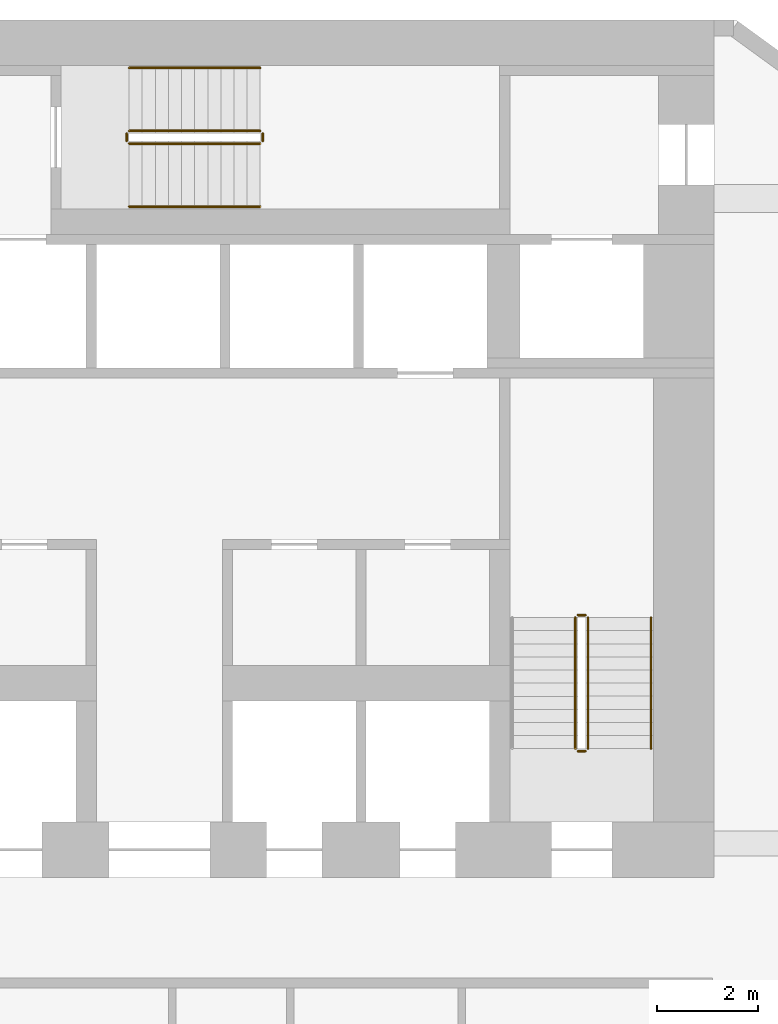
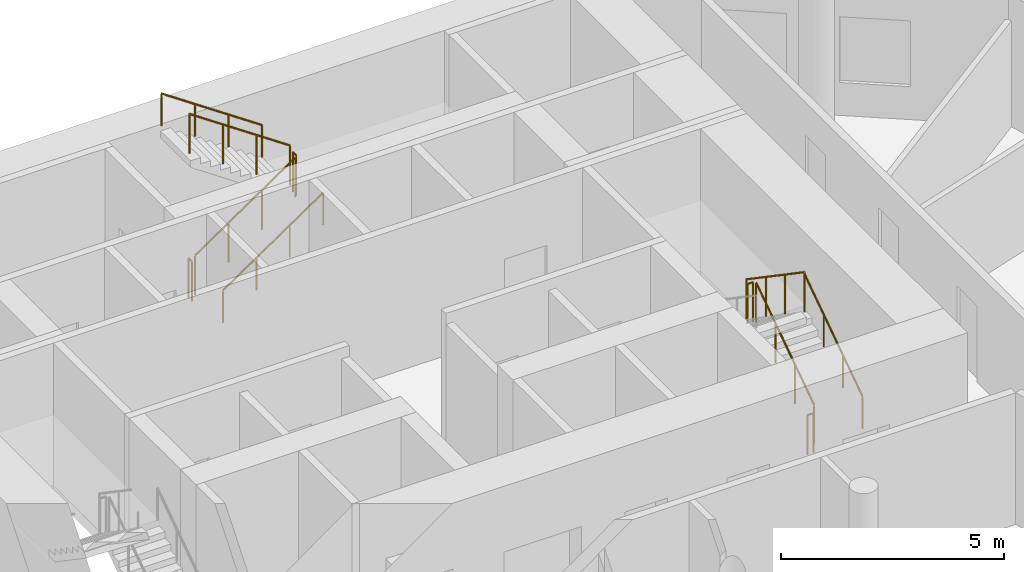
# One storey, part 9 of 9: 11 railings.
"""IFC4 building model written with IfcOpenShell, lengths in metres."""

from ifc_helpers import new_model, si_unit, direction, frame, origin, origin_2d, place, context, subcontext, project, spatial, circle, extrude, material, type_object, element, save


model = new_model("IFC4")

# Units and contexts
model_context = context("Model", 3, precision=1e-05, world=origin(), true_north=direction((0.0, 1.0)))
body_context = subcontext(model_context, "Body", "Model", "MODEL_VIEW")
ifc_project = project(units=[si_unit("LENGTHUNIT", "METRE"), si_unit("AREAUNIT", "SQUARE_METRE"), si_unit("VOLUMEUNIT", "CUBIC_METRE"), si_unit("PLANEANGLEUNIT", "RADIAN"), si_unit("MASSUNIT", "GRAM", prefix="KILO")], contexts=[model_context])

# Site, building, storey
site_placement = place(None, origin())
site = spatial("IfcSite", under=ifc_project, at=site_placement, CompositionType="ELEMENT")
building_placement = place(site_placement, origin())
building = spatial("IfcBuilding", under=site, at=building_placement, Name="White Candle Pilgrim Tower", CompositionType="ELEMENT")
storey_placement = place(building_placement, frame((0.0, 0.0, 122.0)))
storey = spatial("IfcBuildingStorey", under=building, at=storey_placement, Name="L27", CompositionType="ELEMENT", Elevation=122.0)

# Railings
ifc_material = material(Name="Stainless steel", Category="steel")
railing_type_1 = type_object("IfcRailingType", Name="Stair guard stainless steel 1100 mm", PredefinedType="GUARDRAIL", material=ifc_material)
railing_1_placement = place(storey_placement, frame((78.5, 73.550048828125, 0.17724609375)))
element("IfcRailing", 1, at=railing_1_placement, inside=storey, type_object=railing_type_1, Name="L27 ST2 stair guard 1", PredefinedType="GUARDRAIL", context=body_context, shape_type="SweptSolid", body=[
    extrude(circle(Radius=0.02392578125, at=origin_2d()), frame((0.0, 0.0, 1.076171875), z_axis=(0.0, 0.826215852431, 0.563353676824), x_axis=(-1.0, 0.0, 0.0)), (0.0, 0.0, 1.0), 3.146728515625),
    extrude(circle(Radius=0.02099609375, at=origin_2d()), origin(), (0.0, 0.0, 1.0), 1.052001953125),
    extrude(circle(Radius=0.02099609375, at=origin_2d()), frame((0.0, 0.86669921875, 0.5908203125)), (0.0, 0.0, 1.0), 1.052001953125),
    extrude(circle(Radius=0.02099609375, at=origin_2d()), frame((0.0, 1.733154296875, 1.181884765625)), (0.0, 0.0, 1.0), 1.052001953125),
    extrude(circle(Radius=0.02099609375, at=origin_2d()), frame((0.0, 2.599853515625, 1.772705078125)), (0.0, 0.0, 1.0), 1.052001953125),
])
railing_2_placement = place(storey_placement, frame((78.449951171875, 76.199951171875, 1.949951171875)))
element("IfcRailing", 2, at=railing_2_placement, inside=storey, type_object=railing_type_1, Name="L27 ST2 stair guard 2", PredefinedType="GUARDRAIL", context=body_context, shape_type="SweptSolid", body=[
    extrude(circle(Radius=0.02392578125, at=origin_2d()), frame((0.0, 0.0, 1.076171875), z_axis=(-1.0, 0.0, 0.0), x_axis=(0.0, -1.0, 0.0)), (0.0, 0.0, 1.0), 0.14990234375),
    extrude(circle(Radius=0.02099609375, at=origin_2d()), origin(), (0.0, 0.0, 1.0), 1.052001953125),
    extrude(circle(Radius=0.02099609375, at=origin_2d()), frame((-0.14990234375, 0.0, 0.0)), (0.0, 0.0, 1.0), 1.052001953125),
])
railing_3_placement = place(storey_placement, frame((78.25, 76.14990234375, 2.127197265625)))
element("IfcRailing", 3, at=railing_3_placement, inside=storey, type_object=railing_type_1, Name="L27 ST2 stair guard 3", PredefinedType="GUARDRAIL", context=body_context, shape_type="SweptSolid", body=[
    extrude(circle(Radius=0.02392578125, at=origin_2d()), frame((0.0, 0.0, 1.076171875), z_axis=(0.0, -0.826215852431, 0.563353676824), x_axis=(1.0, 0.0, 0.0)), (0.0, 0.0, 1.0), 3.146728515625),
    extrude(circle(Radius=0.02099609375, at=origin_2d()), origin(), (0.0, 0.0, 1.0), 1.052001953125),
    extrude(circle(Radius=0.02099609375, at=origin_2d()), frame((0.0, -0.86669921875, 0.5908203125)), (0.0, 0.0, 1.0), 1.052001953125),
    extrude(circle(Radius=0.02099609375, at=origin_2d()), frame((0.0, -1.733154296875, 1.181884765625)), (0.0, 0.0, 1.0), 1.052001953125),
    extrude(circle(Radius=0.02099609375, at=origin_2d()), frame((0.0, -2.599853515625, 1.772705078125)), (0.0, 0.0, 1.0), 1.052001953125),
])
railing_4_placement = place(storey_placement, frame((78.449951171875, 73.5, 0.0)))
element("IfcRailing", 4, at=railing_4_placement, inside=storey, type_object=railing_type_1, Name="L27 ST2 stair guard 4", PredefinedType="GUARDRAIL", context=body_context, shape_type="SweptSolid", body=[
    extrude(circle(Radius=0.02392578125, at=origin_2d()), frame((0.0, 0.0, 1.076171875), z_axis=(-1.0, 0.0, 0.0), x_axis=(0.0, -1.0, 0.0)), (0.0, 0.0, 1.0), 0.14990234375),
    extrude(circle(Radius=0.02099609375, at=origin_2d()), origin(), (0.0, 0.0, 1.0), 1.052001953125),
    extrude(circle(Radius=0.02099609375, at=origin_2d()), frame((-0.14990234375, 0.0, 0.0)), (0.0, 0.0, 1.0), 1.052001953125),
])
railing_5_placement = place(storey_placement, frame((69.39990234375, 85.550048828125, 0.17724609375)))
element("IfcRailing", 5, at=railing_5_placement, inside=storey, type_object=railing_type_1, Name="L27 ST3 stair guard 1", PredefinedType="GUARDRAIL", context=body_context, shape_type="SweptSolid", body=[
    extrude(circle(Radius=0.02392578125, at=origin_2d()), frame((0.0, 0.0, 1.076171875), z_axis=(0.826240473404, 0.0, 0.563317565952), x_axis=(0.0, 1.0, 0.0)), (0.0, 0.0, 1.0), 3.14697265625),
    extrude(circle(Radius=0.02099609375, at=origin_2d()), origin(), (0.0, 0.0, 1.0), 1.052001953125),
    extrude(circle(Radius=0.02099609375, at=origin_2d()), frame((0.86669921875, 0.0, 0.5908203125)), (0.0, 0.0, 1.0), 1.052001953125),
    extrude(circle(Radius=0.02099609375, at=origin_2d()), frame((1.7333984375, 0.0, 1.181884765625)), (0.0, 0.0, 1.0), 1.052001953125),
    extrude(circle(Radius=0.02099609375, at=origin_2d()), frame((2.60009765625, 0.0, 1.772705078125)), (0.0, 0.0, 1.0), 1.052001953125),
])
railing_6_placement = place(storey_placement, frame((72.050048828125, 85.60009765625, 1.949951171875)))
element("IfcRailing", 6, at=railing_6_placement, inside=storey, type_object=railing_type_1, Name="L27 ST3 stair guard 2", PredefinedType="GUARDRAIL", context=body_context, shape_type="SweptSolid", body=[
    extrude(circle(Radius=0.02392578125, at=origin_2d()), frame((0.0, 0.0, 1.076171875), z_axis=(0.0, 1.0, 0.0), x_axis=(-1.0, 0.0, 0.0)), (0.0, 0.0, 1.0), 0.14990234375),
    extrude(circle(Radius=0.02099609375, at=origin_2d()), origin(), (0.0, 0.0, 1.0), 1.052001953125),
    extrude(circle(Radius=0.02099609375, at=origin_2d()), frame((0.0, 0.14990234375, 0.0)), (0.0, 0.0, 1.0), 1.052001953125),
])
railing_7_placement = place(storey_placement, frame((72.0, 85.800048828125, 2.127197265625)))
element("IfcRailing", 7, at=railing_7_placement, inside=storey, type_object=railing_type_1, Name="L27 ST3 stair guard 3", PredefinedType="GUARDRAIL", context=body_context, shape_type="SweptSolid", body=[
    extrude(circle(Radius=0.02392578125, at=origin_2d()), frame((0.0, 0.0, 1.076171875), z_axis=(-0.826240473404, 0.0, 0.563317565952), x_axis=(0.0, -1.0, 0.0)), (0.0, 0.0, 1.0), 3.14697265625),
    extrude(circle(Radius=0.02099609375, at=origin_2d()), origin(), (0.0, 0.0, 1.0), 1.052001953125),
    extrude(circle(Radius=0.02099609375, at=origin_2d()), frame((-0.86669921875, 0.0, 0.5908203125)), (0.0, 0.0, 1.0), 1.052001953125),
    extrude(circle(Radius=0.02099609375, at=origin_2d()), frame((-1.7333984375, 0.0, 1.181884765625)), (0.0, 0.0, 1.0), 1.052001953125),
    extrude(circle(Radius=0.02099609375, at=origin_2d()), frame((-2.60009765625, 0.0, 1.772705078125)), (0.0, 0.0, 1.0), 1.052001953125),
])
railing_8_placement = place(storey_placement, frame((69.35009765625, 85.60009765625, 0.0)))
element("IfcRailing", 8, at=railing_8_placement, inside=storey, type_object=railing_type_1, Name="L27 ST3 stair guard 4", PredefinedType="GUARDRAIL", context=body_context, shape_type="SweptSolid", body=[
    extrude(circle(Radius=0.02392578125, at=origin_2d()), frame((0.0, 0.0, 1.076171875), z_axis=(0.0, 1.0, 0.0), x_axis=(-1.0, 0.0, 0.0)), (0.0, 0.0, 1.0), 0.14990234375),
    extrude(circle(Radius=0.02099609375, at=origin_2d()), origin(), (0.0, 0.0, 1.0), 1.052001953125),
    extrude(circle(Radius=0.02099609375, at=origin_2d()), frame((0.0, 0.14990234375, 0.0)), (0.0, 0.0, 1.0), 1.052001953125),
])
railing_type_2 = type_object("IfcRailingType", Name="Stair handrail stainless steel", PredefinedType="HANDRAIL", material=ifc_material)
railing_9_placement = place(storey_placement, frame((79.75, 73.550048828125, 0.17724609375)))
element("IfcRailing", 9, at=railing_9_placement, inside=storey, type_object=railing_type_2, Name="L27 ST2 stair handrail 1", PredefinedType="HANDRAIL", context=body_context, shape_type="SweptSolid", body=[
    extrude(circle(Radius=0.02392578125, at=origin_2d()), frame((0.0, 0.0, 0.8759765625), z_axis=(0.0, 0.826215852431, 0.563353676824), x_axis=(-1.0, 0.0, 0.0)), (0.0, 0.0, 1.0), 3.146728515625),
    extrude(circle(Radius=0.02099609375, at=origin_2d()), origin(), (0.0, 0.0, 1.0), 0.851806640625),
    extrude(circle(Radius=0.02099609375, at=origin_2d()), frame((0.0, 0.86669921875, 0.5908203125)), (0.0, 0.0, 1.0), 0.851806640625),
    extrude(circle(Radius=0.02099609375, at=origin_2d()), frame((0.0, 1.733154296875, 1.181884765625)), (0.0, 0.0, 1.0), 0.851806640625),
    extrude(circle(Radius=0.02099609375, at=origin_2d()), frame((0.0, 2.599853515625, 1.772705078125)), (0.0, 0.0, 1.0), 0.851806640625),
])
railing_10_placement = place(storey_placement, frame((69.39990234375, 84.300048828125, 0.17724609375)))
element("IfcRailing", 10, at=railing_10_placement, inside=storey, type_object=railing_type_2, Name="L27 ST3 stair handrail 1", PredefinedType="HANDRAIL", context=body_context, shape_type="SweptSolid", body=[
    extrude(circle(Radius=0.02392578125, at=origin_2d()), frame((0.0, 0.0, 0.8759765625), z_axis=(0.826240473404, 0.0, 0.563317565952), x_axis=(0.0, 1.0, 0.0)), (0.0, 0.0, 1.0), 3.14697265625),
    extrude(circle(Radius=0.02099609375, at=origin_2d()), origin(), (0.0, 0.0, 1.0), 0.851806640625),
    extrude(circle(Radius=0.02099609375, at=origin_2d()), frame((0.86669921875, 0.0, 0.5908203125)), (0.0, 0.0, 1.0), 0.851806640625),
    extrude(circle(Radius=0.02099609375, at=origin_2d()), frame((1.7333984375, 0.0, 1.181884765625)), (0.0, 0.0, 1.0), 0.851806640625),
    extrude(circle(Radius=0.02099609375, at=origin_2d()), frame((2.60009765625, 0.0, 1.772705078125)), (0.0, 0.0, 1.0), 0.851806640625),
])
railing_11_placement = place(storey_placement, frame((72.0, 87.050048828125, 2.127197265625)))
element("IfcRailing", 11, at=railing_11_placement, inside=storey, type_object=railing_type_2, Name="L27 ST3 stair handrail 2", PredefinedType="HANDRAIL", context=body_context, shape_type="SweptSolid", body=[
    extrude(circle(Radius=0.02392578125, at=origin_2d()), frame((0.0, 0.0, 0.8759765625), z_axis=(-0.826240473404, 0.0, 0.563317565952), x_axis=(0.0, -1.0, 0.0)), (0.0, 0.0, 1.0), 3.14697265625),
    extrude(circle(Radius=0.02099609375, at=origin_2d()), origin(), (0.0, 0.0, 1.0), 0.851806640625),
    extrude(circle(Radius=0.02099609375, at=origin_2d()), frame((-0.86669921875, 0.0, 0.5908203125)), (0.0, 0.0, 1.0), 0.851806640625),
    extrude(circle(Radius=0.02099609375, at=origin_2d()), frame((-1.7333984375, 0.0, 1.181884765625)), (0.0, 0.0, 1.0), 0.851806640625),
    extrude(circle(Radius=0.02099609375, at=origin_2d()), frame((-2.60009765625, 0.0, 1.772705078125)), (0.0, 0.0, 1.0), 0.851806640625),
])

save(model, "model.ifc")
